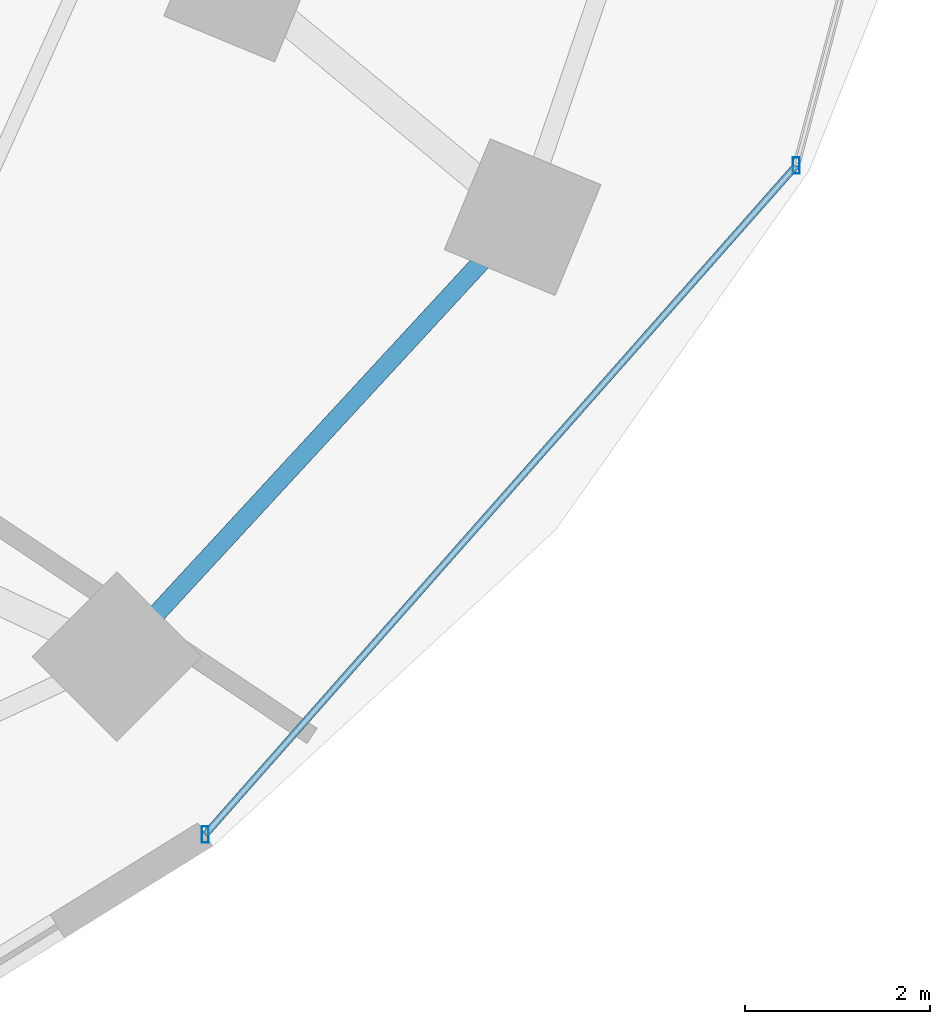
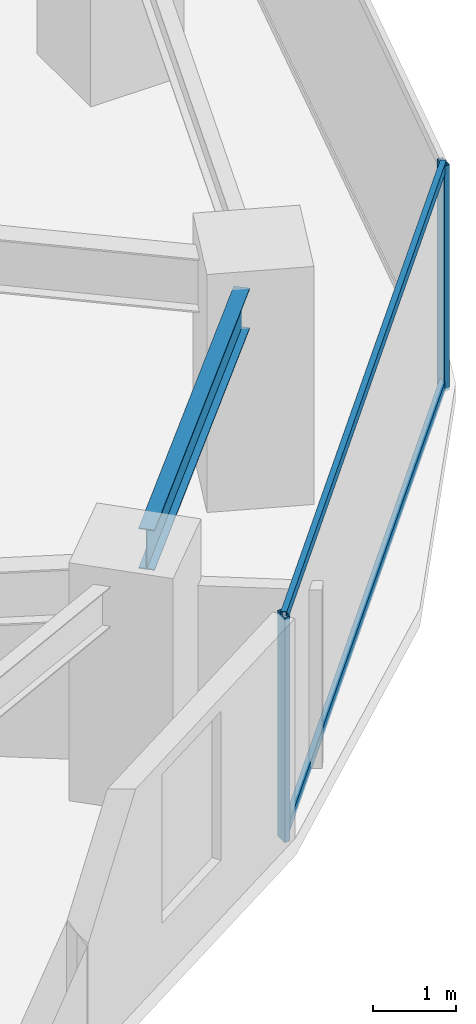
# One storey, part 11 of 30: 4 members, 1 beam, 1 element without a shape of its own.
"""IFC4 building model written with IfcOpenShell, lengths in metres."""

from ifc_helpers import new_model, si_unit, direction, frame, origin, origin_2d, place, context, subcontext, project, spatial, hollow_rectangle, i_section, extrude, material, material_profile, profile_set, type_object, element, aggregate, save


model = new_model("IFC4")

# Units and contexts
model_context = context("Model", 3, precision=1e-05, world=origin(), true_north=direction((0.0, 1.0)))
body_context = subcontext(model_context, "Body", "Model", "MODEL_VIEW")
ifc_project = project(units=[si_unit("LENGTHUNIT", "METRE"), si_unit("AREAUNIT", "SQUARE_METRE"), si_unit("VOLUMEUNIT", "CUBIC_METRE"), si_unit("PLANEANGLEUNIT", "RADIAN"), si_unit("MASSUNIT", "GRAM", prefix="KILO")], contexts=[model_context])

# Site, building, storey
site_placement = place(None, origin())
site = spatial("IfcSite", under=ifc_project, at=site_placement, CompositionType="ELEMENT")
building_placement = place(site_placement, origin())
building = spatial("IfcBuilding", under=site, at=building_placement, Name="Vorneva Point Tower", CompositionType="ELEMENT")
storey_placement = place(building_placement, frame((0.0, 0.0, 41.5)))
storey = spatial("IfcBuildingStorey", under=building, at=storey_placement, Name="L10", CompositionType="ELEMENT", Elevation=41.5)

# Beam
ifc_material_1 = material(Name="Steel S355", Category="steel")
ifc_material_profile_1 = material_profile(ifc_material_1, i_section(OverallWidth=0.198974609375, OverallDepth=0.595947265625, WebThickness=0.010009765625, FlangeThickness=0.014892578125, at=origin_2d()), Name="60B1")
ifc_profile_set_1 = profile_set([ifc_material_profile_1], Name="Steel S355")
beam_type = type_object("IfcBeamType", Name="BM-SPN-60B1", PredefinedType="SPANDREL", material=ifc_profile_set_1)
beam_placement = place(storey_placement, frame((58.369384765625, 12.5908203125, 2.94189453125), z_axis=(0.678317071649, 0.734769317752, 0.0), x_axis=(-0.734769317752, 0.678317071649, 0.0)))
element("IfcBeam", 1, at=beam_placement, inside=storey, type_object=beam_type, Name="L10 Perimeter Spandrel Ring Beam 15", PredefinedType="SPANDREL", context=body_context, shape_type="SweptSolid", body=[
    extrude(i_section(OverallWidth=0.198974609375, OverallDepth=0.595947265625, WebThickness=0.010009765625, FlangeThickness=0.014892578125, at=origin_2d()), origin(), (0.0, 0.0, 1.0), 5.211181640625),
])

# Curtain wall, members
ifc_material_2 = material(Name="Pale anodised aluminium", Category="aluminium")
curtain_wall_type = type_object("IfcCurtainWallType", Name="CW-HTL-SYS", PredefinedType="NOTDEFINED", material=ifc_material_2)
curtain_wall_placement = place(storey_placement, origin())
curtain_wall = element("IfcCurtainWall", 2, at=curtain_wall_placement, inside=storey, type_object=curtain_wall_type, Name="L10 Unitised Curtain Wall CW-L10-R01", PredefinedType="NOTDEFINED")
ifc_material_profile_2 = material_profile(ifc_material_2, hollow_rectangle(XDim=0.074951171875, YDim=0.179931640625, WallThickness=0.00390625, at=origin_2d()), Name="AL-MUL 180x75x4")
ifc_profile_set_2 = profile_set([ifc_material_profile_2], Name="Pale anodised aluminium")
member_type_1 = type_object("IfcMemberType", Name="CW-MUL-180", PredefinedType="MULLION", material=ifc_profile_set_2)
member_1_placement = place(storey_placement, frame((58.89501953125, 10.1962890625, -0.0400390625), z_axis=(0.0, 0.0, 1.0), x_axis=(1.0, 0.0, 0.0)))
member_1 = element("IfcMember", 3, at=member_1_placement, type_object=member_type_1, Name="CW-L10-R01 Mullion 01", PredefinedType="MULLION", context=body_context, shape_type="SweptSolid", body=[
    extrude(hollow_rectangle(XDim=0.074951171875, YDim=0.179931640625, WallThickness=0.00390625, at=origin_2d()), origin(), (0.0, 0.0, 1.0), 3.31005859375),
])
member_2_placement = place(storey_placement, frame((65.300537109375, 17.447021484375, -0.0400390625), z_axis=(0.0, 0.0, 1.0), x_axis=(1.0, 0.0, 0.0)))
member_2 = element("IfcMember", 4, at=member_2_placement, type_object=member_type_1, Name="CW-L10-R01 Mullion 02", PredefinedType="MULLION", context=body_context, shape_type="SweptSolid", body=[
    extrude(hollow_rectangle(XDim=0.074951171875, YDim=0.179931640625, WallThickness=0.00390625, at=origin_2d()), origin(), (0.0, 0.0, 1.0), 3.31005859375),
])
ifc_material_profile_3 = material_profile(ifc_material_2, hollow_rectangle(XDim=0.074951171875, YDim=0.14990234375, WallThickness=0.00390625, at=origin_2d()), Name="AL-TRN 150x75x4")
ifc_profile_set_3 = profile_set([ifc_material_profile_3], Name="Pale anodised aluminium")
member_type_2 = type_object("IfcMemberType", Name="CW-TRN-150", PredefinedType="USERDEFINED", material=ifc_profile_set_3)
member_3_placement = place(storey_placement, frame((58.89501953125, 10.1962890625, 0.02001953125), z_axis=(0.662075539029, 0.749437109182, 0.0), x_axis=(-0.749437109182, 0.662075539029, 0.0)))
member_3 = element("IfcMember", 5, at=member_3_placement, type_object=member_type_2, Name="CW-L10-R01 Transom 01.1", ObjectType="TRANSOM", PredefinedType="USERDEFINED", context=body_context, shape_type="SweptSolid", body=[
    extrude(hollow_rectangle(XDim=0.074951171875, YDim=0.14990234375, WallThickness=0.00390625, at=origin_2d()), origin(), (0.0, 0.0, 1.0), 9.6748046875),
])
member_4_placement = place(storey_placement, frame((58.89501953125, 10.1962890625, 3.219970703125), z_axis=(0.662075539029, 0.749437109182, 0.0), x_axis=(-0.749437109182, 0.662075539029, 0.0)))
member_4 = element("IfcMember", 6, at=member_4_placement, type_object=member_type_2, Name="CW-L10-R01 Transom 01.2", ObjectType="TRANSOM", PredefinedType="USERDEFINED", context=body_context, shape_type="SweptSolid", body=[
    extrude(hollow_rectangle(XDim=0.074951171875, YDim=0.14990234375, WallThickness=0.00390625, at=origin_2d()), origin(), (0.0, 0.0, 1.0), 9.6748046875),
])
aggregate(curtain_wall, [member_1, member_2, member_3, member_4])

save(model, "model.ifc")
